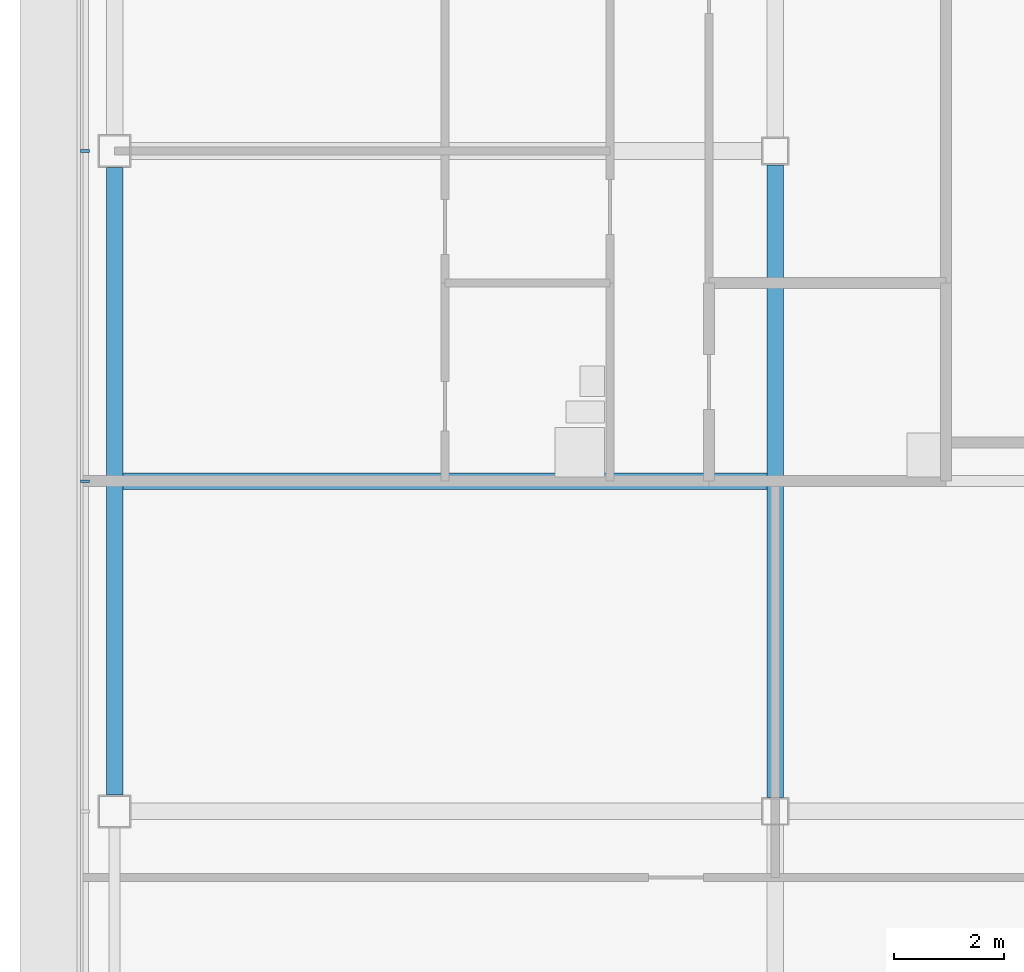
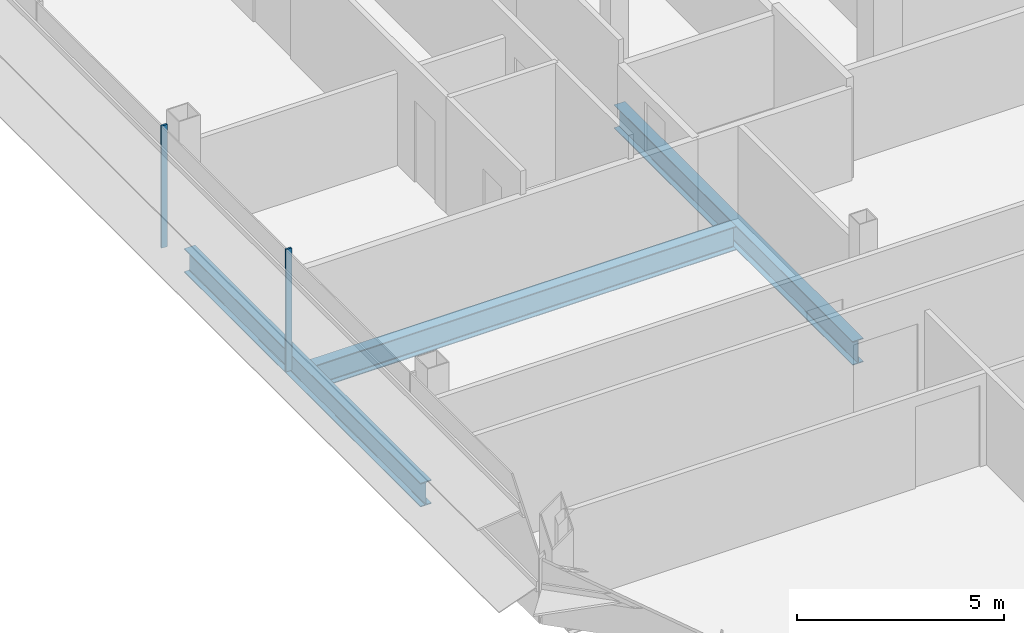
# One storey, part 5 of 28: 3 beams, 2 members, 1 element without a shape of its own.
"""IFC4 building model written with IfcOpenShell, lengths in metres."""

from ifc_helpers import new_model, si_unit, direction, frame, origin, origin_2d, place, context, subcontext, project, spatial, rectangle, i_section, extrude, material, material_profile, profile_set, type_object, element, aggregate, save


model = new_model("IFC4")

# Units and contexts
model_context = context("Model", 3, precision=1e-05, world=origin(), true_north=direction((0.0, 1.0)))
body_context = subcontext(model_context, "Body", "Model", "MODEL_VIEW")
ifc_project = project(units=[si_unit("LENGTHUNIT", "METRE"), si_unit("AREAUNIT", "SQUARE_METRE"), si_unit("VOLUMEUNIT", "CUBIC_METRE"), si_unit("PLANEANGLEUNIT", "RADIAN"), si_unit("MASSUNIT", "GRAM", prefix="KILO")], contexts=[model_context])

# Site, building, storey
site_placement = place(None, origin())
site = spatial("IfcSite", under=ifc_project, at=site_placement, CompositionType="ELEMENT")
building_placement = place(site_placement, origin())
building = spatial("IfcBuilding", under=site, at=building_placement, Name="Sorahane Residences", CompositionType="ELEMENT")
storey_placement = place(building_placement, frame((0.0, 0.0, 250.39990234375)))
storey = spatial("IfcBuildingStorey", under=building, at=storey_placement, Name="L59", CompositionType="ELEMENT", Elevation=250.39990234375)

# Curtain wall, members
ifc_material_1 = material(Name="Dark low-e glass and black anodised aluminium", Category="aluminium")
curtain_wall_type = type_object("IfcCurtainWallType", Name="Curtain wall CW-1 Typical unitised wall", PredefinedType="NOTDEFINED", material=ifc_material_1)
curtain_wall_placement = place(storey_placement, origin())
curtain_wall = element("IfcCurtainWall", 1, at=curtain_wall_placement, inside=storey, type_object=curtain_wall_type, Name="CW-1 curtain wall L59 W1", PredefinedType="NOTDEFINED")
ifc_material_2 = material(Name="Black anodised aluminium", Category="aluminium")
ifc_material_profile_1 = material_profile(ifc_material_2, rectangle(XDim=0.159912109375, YDim=0.050048828125, at=origin_2d()), Name="Curtain wall mullion CW-1 black anodised aluminium 50x160")
ifc_profile_set_1 = profile_set([ifc_material_profile_1], Name="Black anodised aluminium")
member_type = type_object("IfcMemberType", Name="Curtain wall mullion CW-1 black anodised aluminium 50x160", PredefinedType="MULLION", material=ifc_profile_set_1)
member_1_placement = place(storey_placement, frame((-12.5400390625, 24.0, -0.179931640625), z_axis=(0.0, 0.0, 1.0), x_axis=(-1.0, 0.0, 0.0)))
member_1 = element("IfcMember", 2, at=member_1_placement, type_object=member_type, Name="CW-1 mullion L59 W1.4", PredefinedType="MULLION", context=body_context, shape_type="SweptSolid", body=[
    extrude(rectangle(XDim=0.159912109375, YDim=0.050048828125, at=origin_2d()), origin(), (0.0, 0.0, 1.0), 3.60009765625),
])
member_2_placement = place(storey_placement, frame((-12.5400390625, 18.0, -0.179931640625), z_axis=(0.0, 0.0, 1.0), x_axis=(-1.0, 0.0, 0.0)))
member_2 = element("IfcMember", 3, at=member_2_placement, type_object=member_type, Name="CW-1 mullion L59 W1.5", PredefinedType="MULLION", context=body_context, shape_type="SweptSolid", body=[
    extrude(rectangle(XDim=0.159912109375, YDim=0.050048828125, at=origin_2d()), origin(), (0.0, 0.0, 1.0), 3.60009765625),
])
aggregate(curtain_wall, [member_1, member_2])

# Beams
ifc_material_3 = material(Name="Steel Q355B", Category="steel")
ifc_material_profile_2 = material_profile(ifc_material_3, i_section(OverallWidth=0.300048828125, OverallDepth=0.699951171875, WebThickness=0.012939453125, FlangeThickness=0.02392578125, FilletRadius=0.028076171875, at=origin_2d()), Name="HN 700x300x13x24")
ifc_profile_set_2 = profile_set([ifc_material_profile_2], Name="Steel Q355B")
beam_type = type_object("IfcBeamType", Name="Steel floor beam HN 700x300x13x24 Q355B", PredefinedType="BEAM", material=ifc_profile_set_2)
beam_1_placement = place(storey_placement, frame((-12.0, 12.300048828125, -0.52978515625), z_axis=(0.0, 1.0, 0.0), x_axis=(-1.0, 0.0, 0.0)))
element("IfcBeam", 4, at=beam_1_placement, inside=storey, type_object=beam_type, Name="Beam L59 021", PredefinedType="BEAM", context=body_context, shape_type="SweptSolid", body=[
    extrude(i_section(OverallWidth=0.300048828125, OverallDepth=0.699951171875, WebThickness=0.012939453125, FlangeThickness=0.02392578125, FilletRadius=0.028076171875, at=origin_2d()), origin(), (0.0, 0.0, 1.0), 11.39990234375),
])
beam_2_placement = place(storey_placement, frame((0.0, 12.25, -0.52978515625), z_axis=(0.0, 1.0, 0.0), x_axis=(-1.0, 0.0, 0.0)))
element("IfcBeam", 5, at=beam_2_placement, inside=storey, type_object=beam_type, Name="Beam L59 025", PredefinedType="BEAM", context=body_context, shape_type="SweptSolid", body=[
    extrude(i_section(OverallWidth=0.300048828125, OverallDepth=0.699951171875, WebThickness=0.012939453125, FlangeThickness=0.02392578125, FilletRadius=0.028076171875, at=origin_2d()), origin(), (0.0, 0.0, 1.0), 11.5),
])
beam_3_placement = place(storey_placement, frame((-11.85009765625, 18.0, -0.52978515625), z_axis=(1.0, 0.0, 0.0), x_axis=(0.0, 1.0, 0.0)))
element("IfcBeam", 6, at=beam_3_placement, inside=storey, type_object=beam_type, Name="Beam L59 078", PredefinedType="BEAM", context=body_context, shape_type="SweptSolid", body=[
    extrude(i_section(OverallWidth=0.300048828125, OverallDepth=0.699951171875, WebThickness=0.012939453125, FlangeThickness=0.02392578125, FilletRadius=0.028076171875, at=origin_2d()), origin(), (0.0, 0.0, 1.0), 11.7001953125),
])

save(model, "model.ifc")
